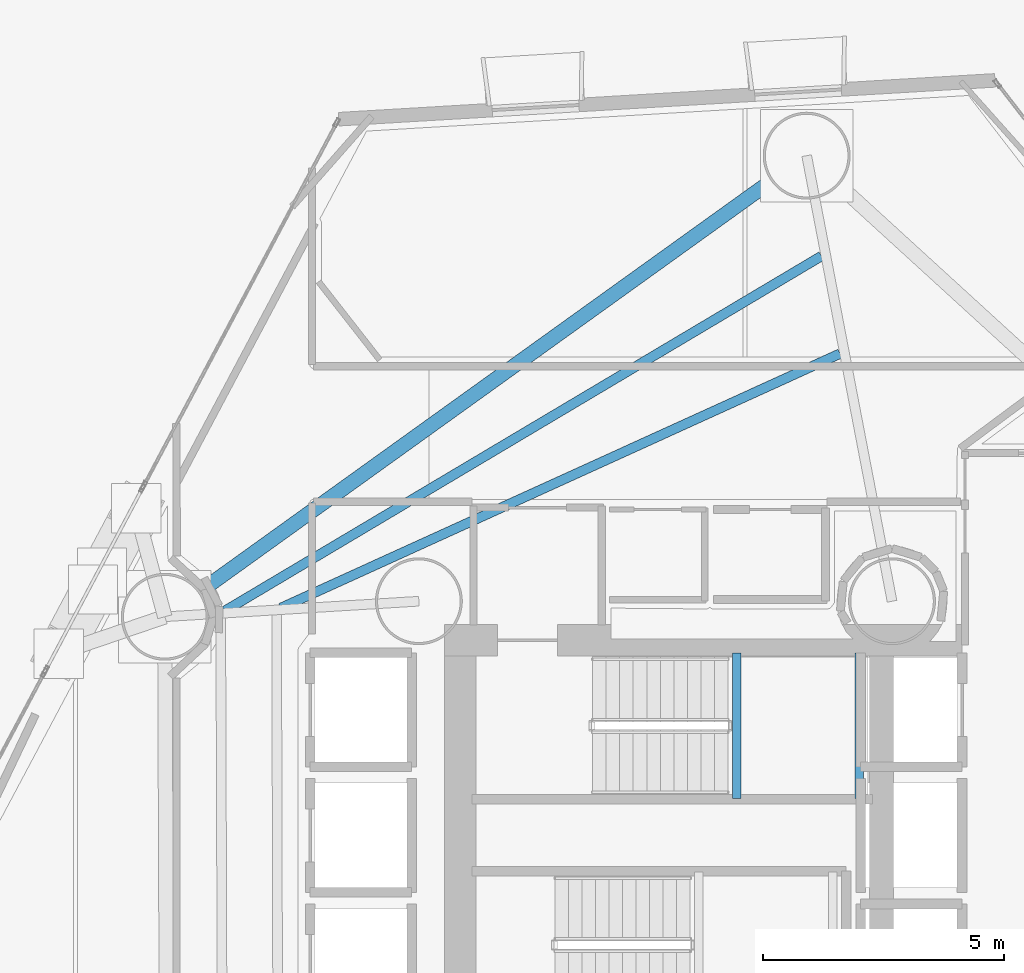
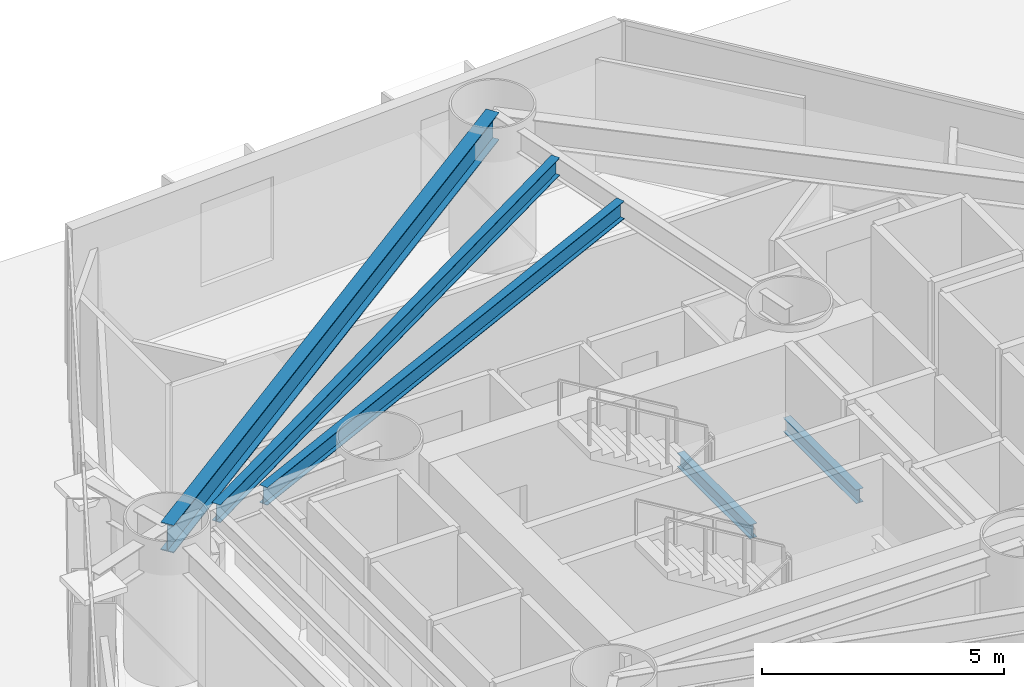
# One storey, part 7 of 22: 5 beams.
"""IFC4 building model written with IfcOpenShell, lengths in metres."""

from ifc_helpers import new_model, si_unit, direction, frame, origin, origin_2d, place, context, subcontext, project, spatial, i_section, extrude, material, material_profile, profile_set, type_object, element, save


model = new_model("IFC4")

# Units and contexts
model_context = context("Model", 3, precision=1e-05, world=origin(), true_north=direction((0.0, 1.0)))
body_context = subcontext(model_context, "Body", "Model", "MODEL_VIEW")
ifc_project = project(units=[si_unit("LENGTHUNIT", "METRE"), si_unit("AREAUNIT", "SQUARE_METRE"), si_unit("VOLUMEUNIT", "CUBIC_METRE"), si_unit("PLANEANGLEUNIT", "RADIAN"), si_unit("MASSUNIT", "GRAM", prefix="KILO")], contexts=[model_context])

# Site, building, storey
site_placement = place(None, origin())
site = spatial("IfcSite", under=ifc_project, at=site_placement, CompositionType="ELEMENT")
building_placement = place(site_placement, origin())
building = spatial("IfcBuilding", under=site, at=building_placement, Name="Qianvela Tower", CompositionType="ELEMENT")
storey_placement = place(building_placement, frame((0.0, 0.0, 25.699951171875)))
storey = spatial("IfcBuildingStorey", under=building, at=storey_placement, Name="L05", CompositionType="ELEMENT", Elevation=25.699951171875)

# Beams
ifc_material_1 = material(Name="Steel Q355B", Category="steel")
ifc_material_profile_1 = material_profile(ifc_material_1, i_section(OverallWidth=0.175048828125, OverallDepth=0.35009765625, WebThickness=0.007080078125, FlangeThickness=0.010986328125, at=origin_2d()), Name="HN350x175x7x11")
ifc_profile_set_1 = profile_set([ifc_material_profile_1], Name="Steel Q355B")
beam_type_1 = type_object("IfcBeamType", Name="BM-HN350-JOIST", PredefinedType="JOIST", material=ifc_profile_set_1)
for number, where, z_axis, x_axis, name in (
    (1, (35.179931640625, 29.4599609375, 1.47509765625), (0.0, 1.0, 0.0), (-1.0, 0.0, 0.0), "L05 Stair ST-1 Landing Support Beam 1.1"),
    (2, (37.719970703125, 29.4599609375, 1.47509765625), (0.0, 1.0, 0.0), (-1.0, 0.0, 0.0), "L05 Stair ST-1 Landing Support Beam 1.2"),
):
    element("IfcBeam", number, at=place(storey_placement, frame(where, z_axis=z_axis, x_axis=x_axis)), inside=storey, type_object=beam_type_1, Name=name, PredefinedType="JOIST", context=body_context, shape_type="SweptSolid", body=[
        extrude(i_section(OverallWidth=0.175048828125, OverallDepth=0.35009765625, WebThickness=0.007080078125, FlangeThickness=0.010986328125, at=origin_2d()), origin(), (0.0, 0.0, 1.0), 3.02001953125),
    ])
ifc_material_2 = material(Name="Steel Q355B", Category="steel")
ifc_material_profile_2 = material_profile(ifc_material_2, i_section(OverallWidth=0.199951171875, OverallDepth=0.449951171875, WebThickness=0.009033203125, FlangeThickness=0.013916015625, at=origin_2d()), Name="HN450x200x9x14")
ifc_profile_set_2 = profile_set([ifc_material_profile_2], Name="Steel Q355B")
beam_type_2 = type_object("IfcBeamType", Name="BM-HN450-JOIST", PredefinedType="JOIST", material=ifc_profile_set_2)
beam_1_placement = place(storey_placement, frame((37.322509765625, 38.677978515625, 3.29296875), z_axis=(-0.910244872328, -0.414070371315, 0.0), x_axis=(0.414070371315, -0.910244872328, 0.0)))
element("IfcBeam", 3, at=beam_1_placement, inside=storey, type_object=beam_type_2, Name="L05 Secondary Composite Floor Joist 3.2", PredefinedType="JOIST", context=body_context, shape_type="SweptSolid", body=[
    extrude(i_section(OverallWidth=0.199951171875, OverallDepth=0.449951171875, WebThickness=0.009033203125, FlangeThickness=0.013916015625, at=origin_2d()), origin(), (0.0, 0.0, 1.0), 12.723876953125),
])
beam_2_placement = place(storey_placement, frame((36.9384765625, 40.69873046875, 3.29296875), z_axis=(-0.859492146952, -0.511148950237, 0.0), x_axis=(0.511148950237, -0.859492146952, 0.0)))
element("IfcBeam", 4, at=beam_2_placement, inside=storey, type_object=beam_type_2, Name="L05 Secondary Composite Floor Joist 3.3", PredefinedType="JOIST", context=body_context, shape_type="SweptSolid", body=[
    extrude(i_section(OverallWidth=0.199951171875, OverallDepth=0.449951171875, WebThickness=0.009033203125, FlangeThickness=0.013916015625, at=origin_2d()), origin(), (0.0, 0.0, 1.0), 14.381103515625),
])
ifc_material_3 = material(Name="Steel Q355B", Category="steel")
ifc_material_profile_3 = material_profile(ifc_material_3, i_section(OverallWidth=0.300048828125, OverallDepth=0.699951171875, WebThickness=0.012939453125, FlangeThickness=0.02392578125, at=origin_2d()), Name="HN700x300x13x24")
ifc_profile_set_3 = profile_set([ifc_material_profile_3], Name="Steel Q355B")
beam_type_3 = type_object("IfcBeamType", Name="BM-HN700-SPAND", PredefinedType="SPANDREL", material=ifc_profile_set_3)
beam_3_placement = place(storey_placement, frame((36.632080078125, 42.778076171875, 3.16796875), z_axis=(-0.812164446449, -0.583428583397, 0.0), x_axis=(0.583428583397, -0.812164446449, 0.0)))
element("IfcBeam", 5, at=beam_3_placement, inside=storey, type_object=beam_type_3, Name="L05 Perimeter Ring Spandrel Girder 3", PredefinedType="SPANDREL", context=body_context, shape_type="SweptSolid", body=[
    extrude(i_section(OverallWidth=0.300048828125, OverallDepth=0.699951171875, WebThickness=0.012939453125, FlangeThickness=0.02392578125, at=origin_2d()), origin(), (0.0, 0.0, 1.0), 16.368896484375),
])

save(model, "model.ifc")
